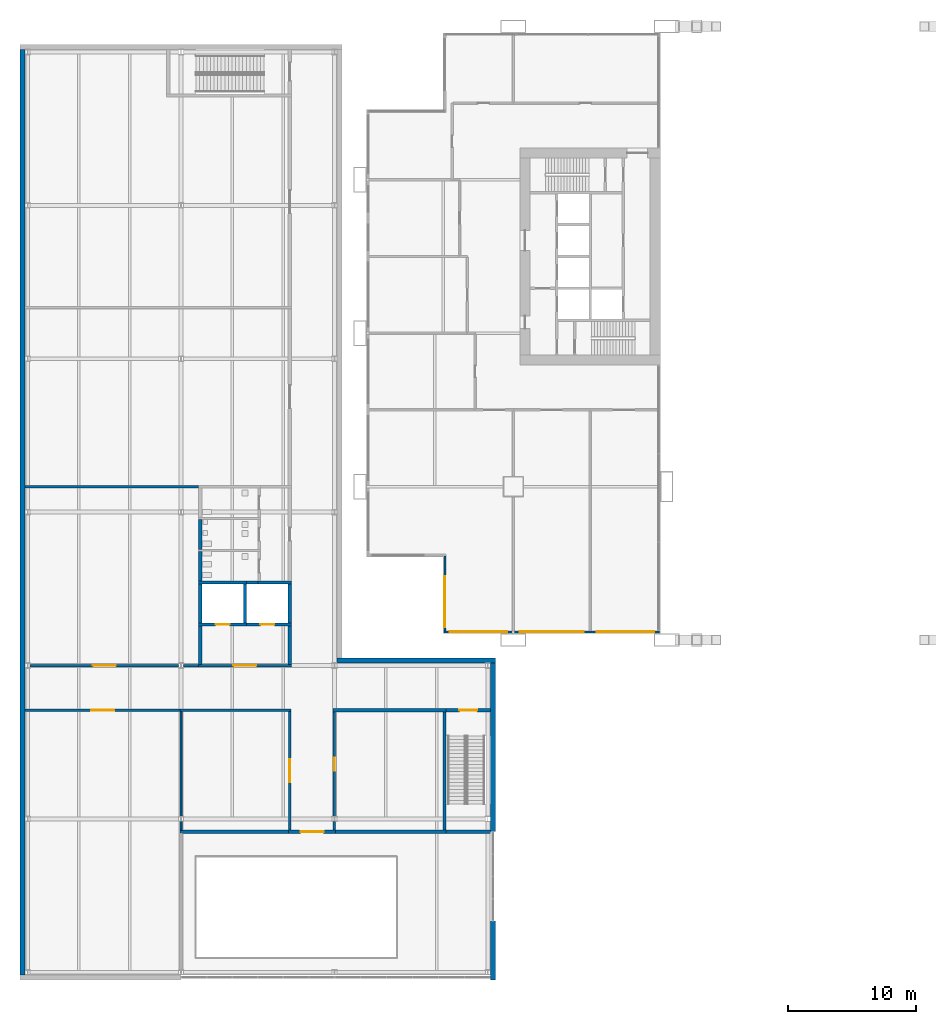
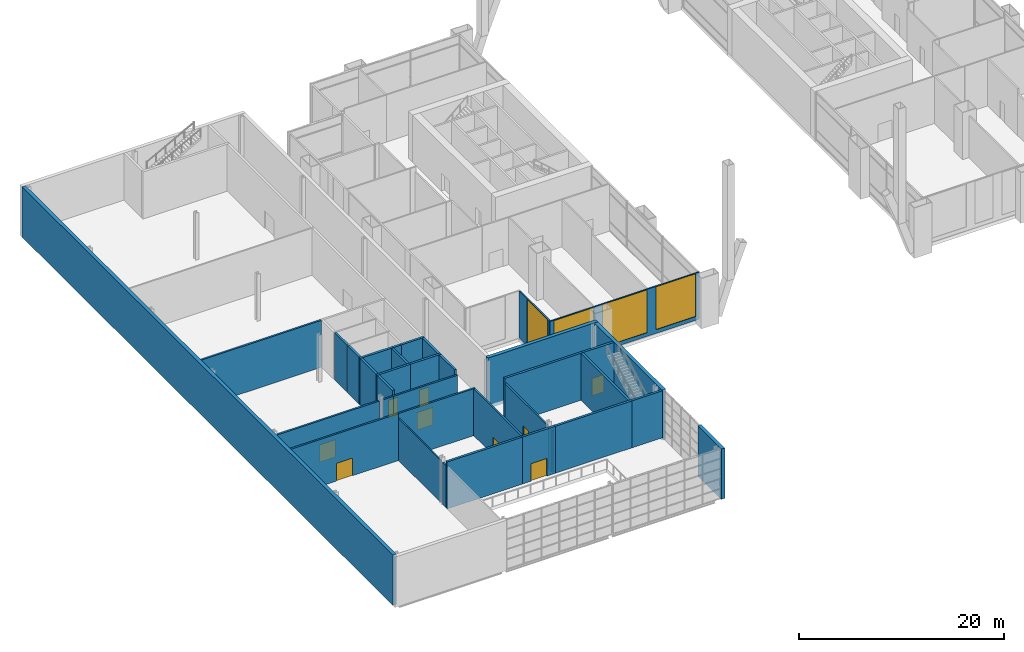
# One storey, part 21 of 30: 36 walls, 9 doors, 4 windows, 13 openings.
"""IFC4 building model written with IfcOpenShell, lengths in metres."""

from ifc_helpers import new_model, si_unit, direction, frame, frame_2d, origin, place, context, subcontext, project, spatial, rectangle, extrude, material, layer, layer_set, type_object, element, fill, save


model = new_model("IFC4")

# Units and contexts
model_context = context("Model", 3, precision=1e-05, world=origin(), true_north=direction((0.0, 1.0)))
body_context = subcontext(model_context, "Body", "Model", "MODEL_VIEW")
ifc_project = project(units=[si_unit("LENGTHUNIT", "METRE"), si_unit("AREAUNIT", "SQUARE_METRE"), si_unit("VOLUMEUNIT", "CUBIC_METRE"), si_unit("PLANEANGLEUNIT", "RADIAN"), si_unit("MASSUNIT", "GRAM", prefix="KILO")], contexts=[model_context])

# Site, building, storey
site_placement = place(None, origin())
site = spatial("IfcSite", under=ifc_project, at=site_placement, CompositionType="ELEMENT")
building_placement = place(site_placement, origin())
building = spatial("IfcBuilding", under=site, at=building_placement, Name="Kitamizu Gate Tower and Museum", CompositionType="ELEMENT")
storey_placement = place(building_placement, frame((0.0, 0.0, 6.0)))
storey = spatial("IfcBuildingStorey", under=building, at=storey_placement, Name="L01", CompositionType="ELEMENT", Elevation=6.0)

# Wall
ifc_material_1 = material(Name="Concrete Fc30", Category="concrete")
ifc_layer_1 = layer(ifc_material_1, 0.25)
ifc_layer_set_1 = layer_set([ifc_layer_1], Name="Concrete Fc30")
wall_type_1 = type_object("IfcWallType", Name="Museum RC core wall 250", PredefinedType="SHEAR", material=ifc_layer_set_1)
wall_1_placement = place(storey_placement, frame((-5.5, 1.324951171875, 0.0), z_axis=(0.0, 0.0, 1.0), x_axis=(0.0, 1.0, 0.0)))
element("IfcWall", 1, at=wall_1_placement, inside=storey, type_object=wall_type_1, Name="Core wall L01.12.1", PredefinedType="SHEAR", context=body_context, shape_type="SweptSolid", body=[
    extrude(rectangle(XDim=3.050048828125, YDim=0.25, at=frame_2d((1.52490234375, 0.0))), origin(), (0.0, 0.0, 1.0), 5.60009765625),
])

# Wall, opening, door
wall_2_placement = place(storey_placement, frame((6.72509765625, -5.5, 0.0), z_axis=(0.0, 0.0, 1.0), x_axis=(1.0, 0.0, 0.0)))
wall_2 = element("IfcWall", 2, at=wall_2_placement, inside=storey, type_object=wall_type_1, Name="Core wall L01.14.1", PredefinedType="SHEAR", context=body_context, shape_type="SweptSolid", body=[
    extrude(rectangle(XDim=3.474853515625, YDim=0.25, at=frame_2d((1.7373046875, 0.0))), origin(), (0.0, 0.0, 1.0), 5.60009765625),
])
opening_1_placement = place(wall_2_placement, frame((1.037109375, 0.0, 0.0)))
opening_1 = element("IfcOpeningElement", 3, at=opening_1_placement, cuts=wall_2, Name="Opening MUS-L01-001", PredefinedType="OPENING", context=body_context, shape_type="SweptSolid", body=[
    extrude(rectangle(XDim=1.39990234375, YDim=2.10009765625, at=frame_2d((0.699951171875, 1.050048828125))), frame((0.0, 0.135009765625, 0.0), z_axis=(0.0, -1.0, 0.0), x_axis=(1.0, 0.0, 0.0)), (0.0, 0.0, 1.0), 0.27001953125),
])
ifc_material_2 = material(Name="Timber leaf in hollow metal frame", Category="wood")
door_type_1 = type_object("IfcDoorType", Name="Museum door 1400x2100 FD60", OperationType="DOUBLE_DOOR_SINGLE_SWING", PredefinedType="DOOR", material=ifc_material_2)
door_1_placement = place(opening_1_placement, origin())
door_1 = element("IfcDoor", 4, at=door_1_placement, inside=storey, type_object=door_type_1, Name="Door Stair S", OperationType="DOUBLE_DOOR_SINGLE_SWING", OverallHeight=2.10009765625, OverallWidth=1.39990234375, PredefinedType="DOOR", context=body_context, shape_type="SweptSolid", body=[
    extrude(rectangle(XDim=1.39990234375, YDim=2.10009765625, at=frame_2d((0.699951171875, 1.050048828125))), frame((0.0, 0.02490234375, 0.0), z_axis=(0.0, -1.0, 0.0), x_axis=(1.0, 0.0, 0.0)), (0.0, 0.0, 1.0), 0.050048828125),
])
fill(opening_1, door_1)

wall_3_placement = place(storey_placement, frame((-12.625, 1.199951171875, 0.0), z_axis=(0.0, 0.0, 1.0), x_axis=(1.0, 0.0, 0.0)))
wall_3 = element("IfcWall", 5, at=wall_3_placement, inside=storey, type_object=wall_type_1, Name="Core wall L01.20.1", PredefinedType="SHEAR", context=body_context, shape_type="SweptSolid", body=[
    extrude(rectangle(XDim=3.75, YDim=0.25, at=frame_2d((1.875, 0.0))), origin(), (0.0, 0.0, 1.0), 5.60009765625),
])
opening_2_placement = place(wall_3_placement, frame((1.324951171875, 0.0, 0.0)))
opening_2 = element("IfcOpeningElement", 6, at=opening_2_placement, cuts=wall_3, Name="Opening MUS-L01-004", PredefinedType="OPENING", context=body_context, shape_type="SweptSolid", body=[
    extrude(rectangle(XDim=1.10009765625, YDim=2.10009765625, at=frame_2d((0.550048828125, 1.050048828125))), frame((0.0, 0.135009765625, 0.0), z_axis=(0.0, -1.0, 0.0), x_axis=(1.0, 0.0, 0.0)), (0.0, 0.0, 1.0), 0.27001953125),
])
ifc_material_3 = material(Name="Stainless steel SUS304", Category="steel")
door_type_2 = type_object("IfcDoorType", Name="Museum lift landing door 1100x2100", OperationType="SLIDING_TO_LEFT", PredefinedType="DOOR", material=ifc_material_3)
door_2_placement = place(opening_2_placement, origin())
door_2 = element("IfcDoor", 7, at=door_2_placement, inside=storey, type_object=door_type_2, Name="Lift landing door", OperationType="SLIDING_TO_LEFT", OverallHeight=2.10009765625, OverallWidth=1.10009765625, PredefinedType="DOOR", context=body_context, shape_type="SweptSolid", body=[
    extrude(rectangle(XDim=1.10009765625, YDim=2.10009765625, at=frame_2d((0.550048828125, 1.050048828125))), frame((0.0, 0.02490234375, 0.0), z_axis=(0.0, -1.0, 0.0), x_axis=(1.0, 0.0, 0.0)), (0.0, 0.0, 1.0), 0.050048828125),
])
fill(opening_2, door_2)

wall_4_placement = place(storey_placement, frame((-8.875, 1.199951171875, 0.0), z_axis=(0.0, 0.0, 1.0), x_axis=(1.0, 0.0, 0.0)))
wall_4 = element("IfcWall", 8, at=wall_4_placement, inside=storey, type_object=wall_type_1, Name="Core wall L01.22.1", PredefinedType="SHEAR", context=body_context, shape_type="SweptSolid", body=[
    extrude(rectangle(XDim=3.5, YDim=0.25, at=frame_2d((1.75, 0.0))), origin(), (0.0, 0.0, 1.0), 5.60009765625),
])
opening_3_placement = place(wall_4_placement, frame((1.074951171875, 0.0, 0.0)))
opening_3 = element("IfcOpeningElement", 9, at=opening_3_placement, cuts=wall_4, Name="Opening MUS-L01-005", PredefinedType="OPENING", context=body_context, shape_type="SweptSolid", body=[
    extrude(rectangle(XDim=1.10009765625, YDim=2.10009765625, at=frame_2d((0.550048828125, 1.050048828125))), frame((0.0, 0.135009765625, 0.0), z_axis=(0.0, -1.0, 0.0), x_axis=(1.0, 0.0, 0.0)), (0.0, 0.0, 1.0), 0.27001953125),
])
door_3_placement = place(opening_3_placement, origin())
door_3 = element("IfcDoor", 10, at=door_3_placement, inside=storey, type_object=door_type_2, Name="Lift landing door", OperationType="SLIDING_TO_LEFT", OverallHeight=2.10009765625, OverallWidth=1.10009765625, PredefinedType="DOOR", context=body_context, shape_type="SweptSolid", body=[
    extrude(rectangle(XDim=1.10009765625, YDim=2.10009765625, at=frame_2d((0.550048828125, 1.050048828125))), frame((0.0, 0.02490234375, 0.0), z_axis=(0.0, -1.0, 0.0), x_axis=(1.0, 0.0, 0.0)), (0.0, 0.0, 1.0), 0.050048828125),
])
fill(opening_3, door_3)

# Walls
for number, where, z_axis, x_axis, name in (
    (11, (-12.5, 1.324951171875, 0.0), (0.0, 0.0, 1.0), (0.0, 1.0, 0.0), "Core wall L01.25.1"),
    (12, (-9.0, 1.324951171875, 0.0), (0.0, 0.0, 1.0), (0.0, 1.0, 0.0), "Core wall L01.26.1"),
):
    element("IfcWall", number, at=place(storey_placement, frame(where, z_axis=z_axis, x_axis=x_axis)), inside=storey, type_object=wall_type_1, Name=name, PredefinedType="SHEAR", context=body_context, shape_type="SweptSolid", body=[
        extrude(rectangle(XDim=3.050048828125, YDim=0.25, at=frame_2d((1.52490234375, 0.0))), origin(), (0.0, 0.0, 1.0), 5.60009765625),
    ])
wall_5_placement = place(storey_placement, frame((-12.625, 4.5, 0.0), z_axis=(0.0, 0.0, 1.0), x_axis=(1.0, 0.0, 0.0)))
element("IfcWall", 13, at=wall_5_placement, inside=storey, type_object=wall_type_1, Name="Core wall L01.27.1", PredefinedType="SHEAR", context=body_context, shape_type="SweptSolid", body=[
    extrude(rectangle(XDim=3.75, YDim=0.25, at=frame_2d((1.875, 0.0))), origin(), (0.0, 0.0, 1.0), 5.60009765625),
])
wall_6_placement = place(storey_placement, frame((-8.0, 4.5, 0.0), z_axis=(0.0, 0.0, 1.0), x_axis=(1.0, 0.0, 0.0)))
element("IfcWall", 14, at=wall_6_placement, inside=storey, type_object=wall_type_1, Name="Core wall L01.31.1", PredefinedType="SHEAR", context=body_context, shape_type="SweptSolid", body=[
    extrude(rectangle(XDim=2.625, YDim=0.25, at=frame_2d((1.3125, 0.0))), origin(), (0.0, 0.0, 1.0), 5.60009765625),
])
wall_7_placement = place(storey_placement, frame((-8.875, 4.5, 0.0), z_axis=(0.0, 0.0, 1.0), x_axis=(1.0, 0.0, 0.0)))
element("IfcWall", 15, at=wall_7_placement, inside=storey, type_object=wall_type_1, Name="Core wall L01.32.1", PredefinedType="SHEAR", context=body_context, shape_type="SweptSolid", body=[
    extrude(rectangle(XDim=0.875, YDim=0.25, at=frame_2d((0.4375, 0.0))), origin(), (0.0, 0.0, 1.0), 5.60009765625),
])
wall_8_placement = place(storey_placement, frame((6.72509765625, -15.0, 0.0), z_axis=(0.0, 0.0, 1.0), x_axis=(1.0, 0.0, 0.0)))
element("IfcWall", 16, at=wall_8_placement, inside=storey, type_object=wall_type_1, Name="Core wall L01.35.1", PredefinedType="SHEAR", context=body_context, shape_type="SweptSolid", body=[
    extrude(rectangle(XDim=3.474853515625, YDim=0.25, at=frame_2d((1.7373046875, 0.0))), origin(), (0.0, 0.0, 1.0), 5.60009765625),
])
wall_9_placement = place(storey_placement, frame((6.60009765625, -14.875, 0.0), z_axis=(0.0, 0.0, 1.0), x_axis=(0.0, 1.0, 0.0)))
element("IfcWall", 17, at=wall_9_placement, inside=storey, type_object=wall_type_1, Name="Core wall L01.36.1", PredefinedType="SHEAR", context=body_context, shape_type="SweptSolid", body=[
    extrude(rectangle(XDim=9.25, YDim=0.25, at=frame_2d((4.625, 0.0))), origin(), (0.0, 0.0, 1.0), 5.60009765625),
])
ifc_material_4 = material(Name="Concrete Fc30 precast", Category="concrete")
ifc_layer_2 = layer(ifc_material_4, 0.39990234375)
ifc_layer_set_2 = layer_set([ifc_layer_2], Name="Concrete Fc30 precast")
wall_type_2 = type_object("IfcWallType", Name="Museum cladding wall 400", PredefinedType="STANDARD", material=ifc_layer_set_2)
wall_10_placement = place(storey_placement, frame((10.39990234375, -26.60009765625, -0.39990234375), z_axis=(0.0, 0.0, 1.0), x_axis=(0.0, 1.0, 0.0)))
element("IfcWall", 18, at=wall_10_placement, inside=storey, type_object=wall_type_2, Name="Cladding wall L01.2", PredefinedType="STANDARD", context=body_context, shape_type="SweptSolid", body=[
    extrude(rectangle(XDim=4.60009765625, YDim=0.39990234375, at=frame_2d((2.300048828125, 0.0))), origin(), (0.0, 0.0, 1.0), 6.0),
])
wall_11_placement = place(storey_placement, frame((-26.39990234375, -26.199951171875, -0.39990234375), z_axis=(0.0, 0.0, 1.0), x_axis=(0.0, 1.0, 0.0)))
element("IfcWall", 19, at=wall_11_placement, inside=storey, type_object=wall_type_2, Name="Cladding wall L01.3", PredefinedType="STANDARD", context=body_context, shape_type="SweptSolid", body=[
    extrude(rectangle(XDim=72.39990234375, YDim=0.39990234375, at=frame_2d((36.199951171875, 0.0))), origin(), (0.0, 0.0, 1.0), 6.0),
])
wall_12_placement = place(storey_placement, frame((10.39990234375, -15.0, -0.39990234375), z_axis=(0.0, 0.0, 1.0), x_axis=(0.0, 1.0, 0.0)))
element("IfcWall", 20, at=wall_12_placement, inside=storey, type_object=wall_type_2, Name="Cladding wall L01.4", PredefinedType="STANDARD", context=body_context, shape_type="SweptSolid", body=[
    extrude(rectangle(XDim=13.199951171875, YDim=0.39990234375, at=frame_2d((6.60009765625, 0.0))), origin(), (0.0, 0.0, 1.0), 6.0),
])
wall_13_placement = place(storey_placement, frame((-1.800048828125, -1.60009765625, -0.39990234375), z_axis=(0.0, 0.0, 1.0), x_axis=(1.0, 0.0, 0.0)))
element("IfcWall", 21, at=wall_13_placement, inside=storey, type_object=wall_type_2, Name="Cladding wall L01.5", PredefinedType="STANDARD", context=body_context, shape_type="SweptSolid", body=[
    extrude(rectangle(XDim=12.400146484375, YDim=0.39990234375, at=frame_2d((6.2001953125, 0.0))), origin(), (0.0, 0.0, 1.0), 6.0),
])

# Wall, opening, door
ifc_material_5 = material(Name="Gypsum board on galvanised stud")
ifc_layer_3 = layer(ifc_material_5, 0.199951171875)
ifc_layer_set_3 = layer_set([ifc_layer_3], Name="Gypsum board on galvanised stud")
wall_type_3 = type_object("IfcWallType", Name="Museum fire rated partition 200", PredefinedType="PARTITIONING", material=ifc_layer_set_3)
wall_14_placement = place(storey_placement, frame((-12.625, -2.0, 0.0), z_axis=(0.0, 0.0, 1.0), x_axis=(1.0, 0.0, 0.0)))
wall_14 = element("IfcWall", 22, at=wall_14_placement, inside=storey, type_object=wall_type_3, Name="Fire-rated partition L01.3.1", PredefinedType="PARTITIONING", context=body_context, shape_type="SweptSolid", body=[
    extrude(rectangle(XDim=7.25, YDim=0.199951171875, at=frame_2d((3.625, 0.0))), origin(), (0.0, 0.0, 1.0), 5.011962890625),
])
opening_4_placement = place(wall_14_placement, frame((2.72509765625, 0.0, 0.0)))
opening_4 = element("IfcOpeningElement", 23, at=opening_4_placement, cuts=wall_14, Name="Opening MUS-L01-003", PredefinedType="OPENING", context=body_context, shape_type="SweptSolid", body=[
    extrude(rectangle(XDim=1.800048828125, YDim=2.10009765625, at=frame_2d((0.89990234375, 1.050048828125))), frame((0.0, 0.10986328125, 0.0), z_axis=(0.0, -1.0, 0.0), x_axis=(1.0, 0.0, 0.0)), (0.0, 0.0, 1.0), 0.219970703125),
])
ifc_material_6 = material(Name="Timber leaf in hollow metal frame", Category="wood")
door_type_3 = type_object("IfcDoorType", Name="Museum door 1800x2100 FD60", OperationType="DOUBLE_DOOR_SINGLE_SWING", PredefinedType="DOOR", material=ifc_material_6)
door_4_placement = place(opening_4_placement, origin())
door_4 = element("IfcDoor", 24, at=door_4_placement, inside=storey, type_object=door_type_3, Name="Door Lift lobby", OperationType="DOUBLE_DOOR_SINGLE_SWING", OverallHeight=2.10009765625, OverallWidth=1.800048828125, PredefinedType="DOOR", context=body_context, shape_type="SweptSolid", body=[
    extrude(rectangle(XDim=1.800048828125, YDim=2.10009765625, at=frame_2d((0.89990234375, 1.050048828125))), frame((0.0, 0.02490234375, 0.0), z_axis=(0.0, -1.0, 0.0), x_axis=(1.0, 0.0, 0.0)), (0.0, 0.0, 1.0), 0.050048828125),
])
fill(opening_4, door_4)

wall_15_placement = place(storey_placement, frame((-5.5, -14.875, 0.0), z_axis=(0.0, 0.0, 1.0), x_axis=(0.0, 1.0, 0.0)))
wall_15 = element("IfcWall", 25, at=wall_15_placement, inside=storey, type_object=wall_type_3, Name="Fire-rated partition L01.5.1", PredefinedType="PARTITIONING", context=body_context, shape_type="SweptSolid", body=[
    extrude(rectangle(XDim=9.27490234375, YDim=0.199951171875, at=frame_2d((4.637451171875, 0.0))), origin(), (0.0, 0.0, 1.0), 5.60009765625),
])
opening_5_placement = place(wall_15_placement, frame((3.738037109375, 0.0, 0.0)))
opening_5 = element("IfcOpeningElement", 26, at=opening_5_placement, cuts=wall_15, Name="Opening MUS-L01-012", PredefinedType="OPENING", context=body_context, shape_type="SweptSolid", body=[
    extrude(rectangle(XDim=1.800048828125, YDim=2.10009765625, at=frame_2d((0.89990234375, 1.050048828125))), frame((0.0, 0.10986328125, 0.0), z_axis=(0.0, -1.0, 0.0), x_axis=(1.0, 0.0, 0.0)), (0.0, 0.0, 1.0), 0.219970703125),
])
door_5_placement = place(opening_5_placement, origin())
door_5 = element("IfcDoor", 27, at=door_5_placement, inside=storey, type_object=door_type_3, Name="Door Orientation gallery", OperationType="DOUBLE_DOOR_SINGLE_SWING", OverallHeight=2.10009765625, OverallWidth=1.800048828125, PredefinedType="DOOR", context=body_context, shape_type="SweptSolid", body=[
    extrude(rectangle(XDim=1.800048828125, YDim=2.10009765625, at=frame_2d((0.89990234375, 1.050048828125))), frame((0.0, 0.02490234375, 0.0), z_axis=(0.0, -1.0, 0.0), x_axis=(1.0, 0.0, 0.0)), (0.0, 0.0, 1.0), 0.050048828125),
])
fill(opening_5, door_5)

# Wall
wall_16_placement = place(storey_placement, frame((-14.074951171875, -5.5, 0.0), z_axis=(0.0, 0.0, 1.0), x_axis=(1.0, 0.0, 0.0)))
element("IfcWall", 28, at=wall_16_placement, inside=storey, type_object=wall_type_3, Name="Fire-rated partition L01.6.1", PredefinedType="PARTITIONING", context=body_context, shape_type="SweptSolid", body=[
    extrude(rectangle(XDim=8.675048828125, YDim=0.199951171875, at=frame_2d((4.33740234375, 0.0))), origin(), (0.0, 0.0, 1.0), 5.60009765625),
])

# Wall, opening, door
wall_17_placement = place(storey_placement, frame((-26.199951171875, -5.5, 0.0), z_axis=(0.0, 0.0, 1.0), x_axis=(1.0, 0.0, 0.0)))
wall_17 = element("IfcWall", 29, at=wall_17_placement, inside=storey, type_object=wall_type_3, Name="Fire-rated partition L01.7.1", PredefinedType="PARTITIONING", context=body_context, shape_type="SweptSolid", body=[
    extrude(rectangle(XDim=12.125, YDim=0.199951171875, at=frame_2d((6.0625, 0.0))), origin(), (0.0, 0.0, 1.0), 5.60009765625),
])
opening_6_placement = place(wall_17_placement, frame((5.162109375, 0.0, 0.0)))
opening_6 = element("IfcOpeningElement", 30, at=opening_6_placement, cuts=wall_17, Name="Opening MUS-L01-011", PredefinedType="OPENING", context=body_context, shape_type="SweptSolid", body=[
    extrude(rectangle(XDim=1.800048828125, YDim=2.10009765625, at=frame_2d((0.89990234375, 1.050048828125))), frame((0.0, 0.10986328125, 0.0), z_axis=(0.0, -1.0, 0.0), x_axis=(1.0, 0.0, 0.0)), (0.0, 0.0, 1.0), 0.219970703125),
])
door_6_placement = place(opening_6_placement, origin())
door_6 = element("IfcDoor", 31, at=door_6_placement, inside=storey, type_object=door_type_3, Name="Door Permanent gallery 1", OperationType="DOUBLE_DOOR_SINGLE_SWING", OverallHeight=2.10009765625, OverallWidth=1.800048828125, PredefinedType="DOOR", context=body_context, shape_type="SweptSolid", body=[
    extrude(rectangle(XDim=1.800048828125, YDim=2.10009765625, at=frame_2d((0.89990234375, 1.050048828125))), frame((0.0, 0.02490234375, 0.0), z_axis=(0.0, -1.0, 0.0), x_axis=(1.0, 0.0, 0.0)), (0.0, 0.0, 1.0), 0.050048828125),
])
fill(opening_6, door_6)

wall_18_placement = place(storey_placement, frame((-25.800048828125, -2.0, 0.0), z_axis=(0.0, 0.0, 1.0), x_axis=(1.0, 0.0, 0.0)))
wall_18 = element("IfcWall", 32, at=wall_18_placement, inside=storey, type_object=wall_type_3, Name="Fire-rated partition L01.8.1", PredefinedType="PARTITIONING", context=body_context, shape_type="SweptSolid", body=[
    extrude(rectangle(XDim=11.60009765625, YDim=0.199951171875, at=frame_2d((5.800048828125, 0.0))), origin(), (0.0, 0.0, 1.0), 5.011962890625),
])
opening_7_placement = place(wall_18_placement, frame((4.89990234375, 0.0, 0.0)))
opening_7 = element("IfcOpeningElement", 33, at=opening_7_placement, cuts=wall_18, Name="Opening MUS-L01-014", PredefinedType="OPENING", context=body_context, shape_type="SweptSolid", body=[
    extrude(rectangle(XDim=1.800048828125, YDim=2.10009765625, at=frame_2d((0.89990234375, 1.050048828125))), frame((0.0, 0.10986328125, 0.0), z_axis=(0.0, -1.0, 0.0), x_axis=(1.0, 0.0, 0.0)), (0.0, 0.0, 1.0), 0.219970703125),
])
door_7_placement = place(opening_7_placement, origin())
door_7 = element("IfcDoor", 34, at=door_7_placement, inside=storey, type_object=door_type_3, Name="Door Permanent gallery 2", OperationType="DOUBLE_DOOR_SINGLE_SWING", OverallHeight=2.10009765625, OverallWidth=1.800048828125, PredefinedType="DOOR", context=body_context, shape_type="SweptSolid", body=[
    extrude(rectangle(XDim=1.800048828125, YDim=2.10009765625, at=frame_2d((0.89990234375, 1.050048828125))), frame((0.0, 0.02490234375, 0.0), z_axis=(0.0, -1.0, 0.0), x_axis=(1.0, 0.0, 0.0)), (0.0, 0.0, 1.0), 0.050048828125),
])
fill(opening_7, door_7)

# Walls
wall_19_placement = place(storey_placement, frame((-13.800048828125, -2.0, 0.0), z_axis=(0.0, 0.0, 1.0), x_axis=(1.0, 0.0, 0.0)))
element("IfcWall", 35, at=wall_19_placement, inside=storey, type_object=wall_type_3, Name="Fire-rated partition L01.8.2", PredefinedType="PARTITIONING", context=body_context, shape_type="SweptSolid", body=[
    extrude(rectangle(XDim=1.175048828125, YDim=0.199951171875, at=frame_2d((0.58740234375, 0.0))), origin(), (0.0, 0.0, 1.0), 5.011962890625),
])
wall_20_placement = place(storey_placement, frame((-2.0, -14.875, 0.0), z_axis=(0.0, 0.0, 1.0), x_axis=(0.0, 1.0, 0.0)))
element("IfcWall", 36, at=wall_20_placement, inside=storey, type_object=wall_type_3, Name="Fire-rated partition L01.10.1", PredefinedType="PARTITIONING", context=body_context, shape_type="SweptSolid", body=[
    extrude(rectangle(XDim=0.675048828125, YDim=0.199951171875, at=frame_2d((0.33740234375, 0.0))), origin(), (0.0, 0.0, 1.0), 5.011962890625),
])

# Wall, opening, door
wall_21_placement = place(storey_placement, frame((-2.0, -13.800048828125, 0.0), z_axis=(0.0, 0.0, 1.0), x_axis=(0.0, 1.0, 0.0)))
wall_21 = element("IfcWall", 37, at=wall_21_placement, inside=storey, type_object=wall_type_3, Name="Fire-rated partition L01.10.2", PredefinedType="PARTITIONING", context=body_context, shape_type="SweptSolid", body=[
    extrude(rectangle(XDim=8.175048828125, YDim=0.199951171875, at=frame_2d((4.08740234375, 0.0))), origin(), (0.0, 0.0, 1.0), 5.011962890625),
])
opening_8_placement = place(wall_21_placement, frame((3.587890625, 0.0, 0.0)))
opening_8 = element("IfcOpeningElement", 38, at=opening_8_placement, cuts=wall_21, Name="Opening MUS-L01-013", PredefinedType="OPENING", context=body_context, shape_type="SweptSolid", body=[
    extrude(rectangle(XDim=1.0, YDim=2.10009765625, at=frame_2d((0.5, 1.050048828125))), frame((0.0, 0.10986328125, 0.0), z_axis=(0.0, -1.0, 0.0), x_axis=(1.0, 0.0, 0.0)), (0.0, 0.0, 1.0), 0.219970703125),
])
ifc_material_7 = material(Name="Timber leaf in hollow metal frame", Category="wood")
door_type_4 = type_object("IfcDoorType", Name="Museum door 1000x2100 FD60", OperationType="NOTDEFINED", PredefinedType="DOOR", material=ifc_material_7)
door_8_placement = place(opening_8_placement, frame((1.0, 0.0, 0.0), x_axis=(-1.0, 0.0, 0.0)))
door_8 = element("IfcDoor", 39, at=door_8_placement, inside=storey, type_object=door_type_4, Name="Door Print study room", OperationType="SINGLE_SWING_RIGHT", OverallHeight=2.10009765625, OverallWidth=1.0, PredefinedType="DOOR", context=body_context, shape_type="SweptSolid", body=[
    extrude(rectangle(XDim=1.0, YDim=2.10009765625, at=frame_2d((0.5, 1.050048828125))), frame((0.0, 0.02490234375, 0.0), z_axis=(0.0, -1.0, 0.0), x_axis=(1.0, 0.0, 0.0)), (0.0, 0.0, 1.0), 0.050048828125),
])
fill(opening_8, door_8)

ifc_material_8 = material(Name="Gypsum board on galvanised stud")
ifc_layer_4 = layer(ifc_material_8, 0.25)
ifc_layer_set_4 = layer_set([ifc_layer_4], Name="Gypsum board on galvanised stud")
wall_type_4 = type_object("IfcWallType", Name="Museum fire rated partition 250", PredefinedType="PARTITIONING", material=ifc_layer_set_4)
wall_22_placement = place(storey_placement, frame((-5.60009765625, -15.0, 0.0), z_axis=(0.0, 0.0, 1.0), x_axis=(1.0, 0.0, 0.0)))
wall_22 = element("IfcWall", 40, at=wall_22_placement, inside=storey, type_object=wall_type_4, Name="Fire-rated partition L01.2.1", PredefinedType="PARTITIONING", context=body_context, shape_type="SweptSolid", body=[
    extrude(rectangle(XDim=3.7001953125, YDim=0.25, at=frame_2d((1.85009765625, 0.0))), origin(), (0.0, 0.0, 1.0), 5.60009765625),
])
opening_9_placement = place(wall_22_placement, frame((0.949951171875, 0.0, 0.0)))
opening_9 = element("IfcOpeningElement", 41, at=opening_9_placement, cuts=wall_22, Name="Opening MUS-L01-010", PredefinedType="OPENING", context=body_context, shape_type="SweptSolid", body=[
    extrude(rectangle(XDim=1.800048828125, YDim=2.10009765625, at=frame_2d((0.89990234375, 1.050048828125))), frame((0.0, 0.135009765625, 0.0), z_axis=(0.0, -1.0, 0.0), x_axis=(1.0, 0.0, 0.0)), (0.0, 0.0, 1.0), 0.27001953125),
])
door_9_placement = place(opening_9_placement, origin())
door_9 = element("IfcDoor", 42, at=door_9_placement, inside=storey, type_object=door_type_3, Name="Door Hall balcony", OperationType="DOUBLE_DOOR_SINGLE_SWING", OverallHeight=2.10009765625, OverallWidth=1.800048828125, PredefinedType="DOOR", context=body_context, shape_type="SweptSolid", body=[
    extrude(rectangle(XDim=1.800048828125, YDim=2.10009765625, at=frame_2d((0.89990234375, 1.050048828125))), frame((0.0, 0.02490234375, 0.0), z_axis=(0.0, -1.0, 0.0), x_axis=(1.0, 0.0, 0.0)), (0.0, 0.0, 1.0), 0.050048828125),
])
fill(opening_9, door_9)

# Walls
wall_23_placement = place(storey_placement, frame((-5.5, -1.89990234375, 0.0), z_axis=(0.0, 0.0, 1.0), x_axis=(0.0, 1.0, 0.0)))
element("IfcWall", 43, at=wall_23_placement, inside=storey, type_object=wall_type_4, Name="Fire-rated partition L01.4.1", PredefinedType="PARTITIONING", context=body_context, shape_type="SweptSolid", body=[
    extrude(rectangle(XDim=2.974853515625, YDim=0.25, at=frame_2d((1.4873046875, 0.0))), origin(), (0.0, 0.0, 1.0), 5.60009765625),
])
wall_24_placement = place(storey_placement, frame((-2.10009765625, -5.5, 0.0), z_axis=(0.0, 0.0, 1.0), x_axis=(1.0, 0.0, 0.0)))
element("IfcWall", 44, at=wall_24_placement, inside=storey, type_object=wall_type_4, Name="Fire-rated partition L01.11.1", PredefinedType="PARTITIONING", context=body_context, shape_type="SweptSolid", body=[
    extrude(rectangle(XDim=8.8251953125, YDim=0.25, at=frame_2d((4.41259765625, 0.0))), origin(), (0.0, 0.0, 1.0), 5.60009765625),
])
wall_25_placement = place(storey_placement, frame((-12.5, -1.89990234375, 0.0), z_axis=(0.0, 0.0, 1.0), x_axis=(0.0, 1.0, 0.0)))
element("IfcWall", 45, at=wall_25_placement, inside=storey, type_object=wall_type_4, Name="Fire-rated partition L01.21.1", PredefinedType="PARTITIONING", context=body_context, shape_type="SweptSolid", body=[
    extrude(rectangle(XDim=2.974853515625, YDim=0.25, at=frame_2d((1.4873046875, 0.0))), origin(), (0.0, 0.0, 1.0), 5.60009765625),
])
ifc_material_9 = material(Name="Gypsum board on galvanised stud")
ifc_layer_5 = layer(ifc_material_9, 0.14990234375)
ifc_layer_set_5 = layer_set([ifc_layer_5], Name="Gypsum board on galvanised stud")
wall_type_5 = type_object("IfcWallType", Name="Museum partition 150", PredefinedType="PARTITIONING", material=ifc_layer_set_5)
wall_26_placement = place(storey_placement, frame((-14.0, -14.875, 0.0), z_axis=(0.0, 0.0, 1.0), x_axis=(0.0, 1.0, 0.0)))
element("IfcWall", 46, at=wall_26_placement, inside=storey, type_object=wall_type_5, Name="Partition L01.28.1", PredefinedType="PARTITIONING", context=body_context, shape_type="SweptSolid", body=[
    extrude(rectangle(XDim=0.675048828125, YDim=0.14990234375, at=frame_2d((0.33740234375, 0.0))), origin(), (0.0, 0.0, 1.0), 5.011962890625),
])
wall_27_placement = place(storey_placement, frame((-14.0, -13.800048828125, 0.0), z_axis=(0.0, 0.0, 1.0), x_axis=(0.0, 1.0, 0.0)))
element("IfcWall", 47, at=wall_27_placement, inside=storey, type_object=wall_type_5, Name="Partition L01.28.2", PredefinedType="PARTITIONING", context=body_context, shape_type="SweptSolid", body=[
    extrude(rectangle(XDim=8.199951171875, YDim=0.14990234375, at=frame_2d((4.10009765625, 0.0))), origin(), (0.0, 0.0, 1.0), 5.011962890625),
])
ifc_material_10 = material(Name="Gypsum board on galvanised stud")
ifc_layer_6 = layer(ifc_material_10, 0.199951171875)
ifc_layer_set_6 = layer_set([ifc_layer_6], Name="Gypsum board on galvanised stud")
wall_type_6 = type_object("IfcWallType", Name="Museum partition 200", PredefinedType="PARTITIONING", material=ifc_layer_set_6)
wall_28_placement = place(storey_placement, frame((-26.199951171875, 12.0, 0.0), z_axis=(0.0, 0.0, 1.0), x_axis=(1.0, 0.0, 0.0)))
element("IfcWall", 48, at=wall_28_placement, inside=storey, type_object=wall_type_6, Name="Partition L01.29.1", PredefinedType="PARTITIONING", context=body_context, shape_type="SweptSolid", body=[
    extrude(rectangle(XDim=13.574951171875, YDim=0.199951171875, at=frame_2d((6.78759765625, 0.0))), origin(), (0.0, 0.0, 1.0), 5.60009765625),
])
ifc_material_11 = material(Name="Gypsum board on galvanised stud")
ifc_layer_7 = layer(ifc_material_11, 0.25)
ifc_layer_set_7 = layer_set([ifc_layer_7], Name="Gypsum board on galvanised stud")
wall_type_7 = type_object("IfcWallType", Name="Museum partition 250", PredefinedType="PARTITIONING", material=ifc_layer_set_7)
wall_29_placement = place(storey_placement, frame((-14.074951171875, -15.0, 0.0), z_axis=(0.0, 0.0, 1.0), x_axis=(1.0, 0.0, 0.0)))
element("IfcWall", 49, at=wall_29_placement, inside=storey, type_object=wall_type_7, Name="Partition L01.17.1", PredefinedType="PARTITIONING", context=body_context, shape_type="SweptSolid", body=[
    extrude(rectangle(XDim=8.474853515625, YDim=0.25, at=frame_2d((4.2373046875, 0.0))), origin(), (0.0, 0.0, 1.0), 5.60009765625),
])
wall_30_placement = place(storey_placement, frame((-1.89990234375, -15.0, 0.0), z_axis=(0.0, 0.0, 1.0), x_axis=(1.0, 0.0, 0.0)))
element("IfcWall", 50, at=wall_30_placement, inside=storey, type_object=wall_type_7, Name="Partition L01.19.1", PredefinedType="PARTITIONING", context=body_context, shape_type="SweptSolid", body=[
    extrude(rectangle(XDim=8.625, YDim=0.25, at=frame_2d((4.3125, 0.0))), origin(), (0.0, 0.0, 1.0), 5.60009765625),
])
wall_31_placement = place(storey_placement, frame((-12.5, 7.074951171875, 0.0), z_axis=(0.0, 0.0, 1.0), x_axis=(0.0, 1.0, 0.0)))
element("IfcWall", 51, at=wall_31_placement, inside=storey, type_object=wall_type_7, Name="Partition L01.24.1", PredefinedType="PARTITIONING", context=body_context, shape_type="SweptSolid", body=[
    extrude(rectangle(XDim=2.35009765625, YDim=0.25, at=frame_2d((1.175048828125, 0.0))), origin(), (0.0, 0.0, 1.0), 5.60009765625),
])
wall_32_placement = place(storey_placement, frame((-12.5, 4.625, 0.0), z_axis=(0.0, 0.0, 1.0), x_axis=(0.0, 1.0, 0.0)))
element("IfcWall", 52, at=wall_32_placement, inside=storey, type_object=wall_type_7, Name="Partition L01.42.1", PredefinedType="PARTITIONING", context=body_context, shape_type="SweptSolid", body=[
    extrude(rectangle(XDim=2.300048828125, YDim=0.25, at=frame_2d((1.14990234375, 0.0))), origin(), (0.0, 0.0, 1.0), 5.60009765625),
])

# Wall, opening, window
ifc_material_12 = material(Name="Bronze anodised aluminium frame with insulated spandrel and tinted glass", Category="aluminium")
ifc_layer_8 = layer(ifc_material_12, 0.14990234375)
ifc_layer_set_8 = layer_set([ifc_layer_8], Name="Bronze anodised aluminium frame with insulated spandrel and tinted glass")
wall_type_8 = type_object("IfcWallType", Name="WINDOW WALL 150 BRONZE FRAME EI 60", PredefinedType="ELEMENTEDWALL", material=ifc_layer_set_8)
wall_33_placement = place(storey_placement, frame((6.635009765625, 0.7099609375, 0.0), z_axis=(0.0, 0.0, 1.0), x_axis=(0.0, 1.0, 0.0)))
wall_33 = element("IfcWall", 53, at=wall_33_placement, inside=storey, type_object=wall_type_8, Name="Window wall west L01", PredefinedType="ELEMENTEDWALL", context=body_context, shape_type="SweptSolid", body=[
    extrude(rectangle(XDim=5.85009765625, YDim=0.14990234375, at=frame_2d((2.925048828125, 0.0))), origin(), (0.0, 0.0, 1.0), 5.60009765625),
])
opening_10_placement = place(wall_33_placement, frame((0.2900390625, 0.0, 0.449951171875)))
opening_10 = element("IfcOpeningElement", 54, at=opening_10_placement, cuts=wall_33, Name="Opening W22", PredefinedType="OPENING", context=body_context, shape_type="SweptSolid", body=[
    extrude(rectangle(XDim=4.0, YDim=5.10009765625, at=frame_2d((2.0, 2.550048828125))), frame((0.0, 0.0849609375, 0.0), z_axis=(0.0, -1.0, 0.0), x_axis=(1.0, 0.0, 0.0)), (0.0, 0.0, 1.0), 0.169921875),
])
ifc_material_13 = material(Name="Bronze anodised aluminium frame, tinted triple glazing", Category="aluminium")
window_type_1 = type_object("IfcWindowType", Name="WINDOW 4000 x 5100 SILL 450", PartitioningType="SINGLE_PANEL", PredefinedType="WINDOW", material=ifc_material_13)
window_1_placement = place(opening_10_placement, origin())
window_1 = element("IfcWindow", 55, at=window_1_placement, inside=storey, type_object=window_type_1, Name="Window W22 L01", OverallHeight=5.10009765625, OverallWidth=4.0, PartitioningType="SINGLE_PANEL", PredefinedType="WINDOW", context=body_context, shape_type="SweptSolid", body=[
    extrude(rectangle(XDim=4.0, YDim=5.10009765625, at=frame_2d((2.0, 2.550048828125))), frame((0.0, 0.030029296875, 0.0), z_axis=(0.0, -1.0, 0.0), x_axis=(1.0, 0.0, 0.0)), (0.0, 0.0, 1.0), 0.06005859375),
])
fill(opening_10, window_1)

# Wall, openings, windows
wall_34_placement = place(storey_placement, frame((6.56005859375, 0.635009765625, 0.0), z_axis=(0.0, 0.0, 1.0), x_axis=(1.0, 0.0, 0.0)))
wall_34 = element("IfcWall", 56, at=wall_34_placement, inside=storey, type_object=wall_type_8, Name="Window wall south L01", PredefinedType="ELEMENTEDWALL", context=body_context, shape_type="SweptSolid", body=[
    extrude(rectangle(XDim=16.8798828125, YDim=0.14990234375, at=frame_2d((8.43994140625, 0.0))), origin(), (0.0, 0.0, 1.0), 5.60009765625),
])
opening_11_placement = place(wall_34_placement, frame((0.43994140625, 0.0, 0.449951171875)))
opening_11 = element("IfcOpeningElement", 57, at=opening_11_placement, cuts=wall_34, Name="Opening W21", PredefinedType="OPENING", context=body_context, shape_type="SweptSolid", body=[
    extrude(rectangle(XDim=4.5, YDim=5.10009765625, at=frame_2d((2.25, 2.550048828125))), frame((0.0, 0.0849609375, 0.0), z_axis=(0.0, -1.0, 0.0), x_axis=(1.0, 0.0, 0.0)), (0.0, 0.0, 1.0), 0.169921875),
])
opening_12_placement = place(wall_34_placement, frame((5.93994140625, 0.0, 0.449951171875)))
opening_12 = element("IfcOpeningElement", 58, at=opening_12_placement, cuts=wall_34, Name="Opening W7", PredefinedType="OPENING", context=body_context, shape_type="SweptSolid", body=[
    extrude(rectangle(XDim=5.0, YDim=5.10009765625, at=frame_2d((2.5, 2.550048828125))), frame((0.0, 0.0849609375, 0.0), z_axis=(0.0, -1.0, 0.0), x_axis=(1.0, 0.0, 0.0)), (0.0, 0.0, 1.0), 0.169921875),
])
opening_13_placement = place(wall_34_placement, frame((11.93994140625, 0.0, 0.449951171875)))
opening_13 = element("IfcOpeningElement", 59, at=opening_13_placement, cuts=wall_34, Name="Opening W21", PredefinedType="OPENING", context=body_context, shape_type="SweptSolid", body=[
    extrude(rectangle(XDim=4.5, YDim=5.10009765625, at=frame_2d((2.25, 2.550048828125))), frame((0.0, 0.0849609375, 0.0), z_axis=(0.0, -1.0, 0.0), x_axis=(1.0, 0.0, 0.0)), (0.0, 0.0, 1.0), 0.169921875),
])
ifc_material_14 = material(Name="Bronze anodised aluminium frame, tinted triple glazing", Category="aluminium")
window_type_2 = type_object("IfcWindowType", Name="WINDOW 4500 x 5100 SILL 450", PartitioningType="SINGLE_PANEL", PredefinedType="WINDOW", material=ifc_material_14)
window_2_placement = place(opening_11_placement, origin())
window_2 = element("IfcWindow", 60, at=window_2_placement, inside=storey, type_object=window_type_2, Name="Window W21 L01", OverallHeight=5.10009765625, OverallWidth=4.5, PartitioningType="SINGLE_PANEL", PredefinedType="WINDOW", context=body_context, shape_type="SweptSolid", body=[
    extrude(rectangle(XDim=4.5, YDim=5.10009765625, at=frame_2d((2.25, 2.550048828125))), frame((0.0, 0.030029296875, 0.0), z_axis=(0.0, -1.0, 0.0), x_axis=(1.0, 0.0, 0.0)), (0.0, 0.0, 1.0), 0.06005859375),
])
fill(opening_11, window_2)
window_3_placement = place(opening_13_placement, origin())
window_3 = element("IfcWindow", 61, at=window_3_placement, inside=storey, type_object=window_type_2, Name="Window W21 L01", OverallHeight=5.10009765625, OverallWidth=4.5, PartitioningType="SINGLE_PANEL", PredefinedType="WINDOW", context=body_context, shape_type="SweptSolid", body=[
    extrude(rectangle(XDim=4.5, YDim=5.10009765625, at=frame_2d((2.25, 2.550048828125))), frame((0.0, 0.030029296875, 0.0), z_axis=(0.0, -1.0, 0.0), x_axis=(1.0, 0.0, 0.0)), (0.0, 0.0, 1.0), 0.06005859375),
])
fill(opening_13, window_3)
ifc_material_15 = material(Name="Bronze anodised aluminium frame, tinted triple glazing", Category="aluminium")
window_type_3 = type_object("IfcWindowType", Name="WINDOW 5000 x 5100 SILL 450", PartitioningType="SINGLE_PANEL", PredefinedType="WINDOW", material=ifc_material_15)
window_4_placement = place(opening_12_placement, origin())
window_4 = element("IfcWindow", 62, at=window_4_placement, inside=storey, type_object=window_type_3, Name="Window W7 L01", OverallHeight=5.10009765625, OverallWidth=5.0, PartitioningType="SINGLE_PANEL", PredefinedType="WINDOW", context=body_context, shape_type="SweptSolid", body=[
    extrude(rectangle(XDim=5.0, YDim=5.10009765625, at=frame_2d((2.5, 2.550048828125))), frame((0.0, 0.030029296875, 0.0), z_axis=(0.0, -1.0, 0.0), x_axis=(1.0, 0.0, 0.0)), (0.0, 0.0, 1.0), 0.06005859375),
])
fill(opening_12, window_4)

save(model, "model.ifc")
